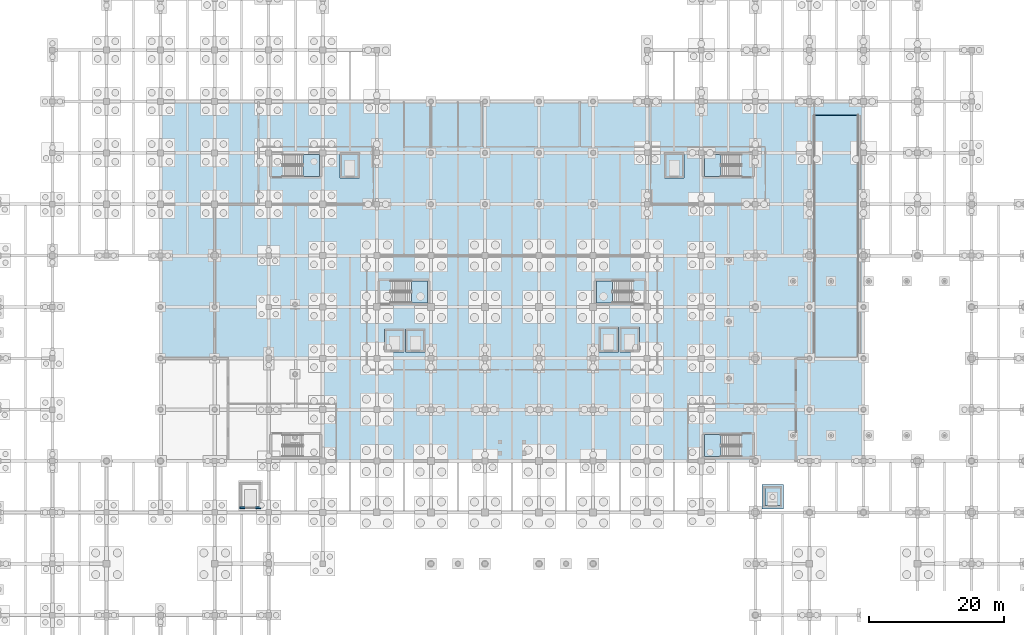
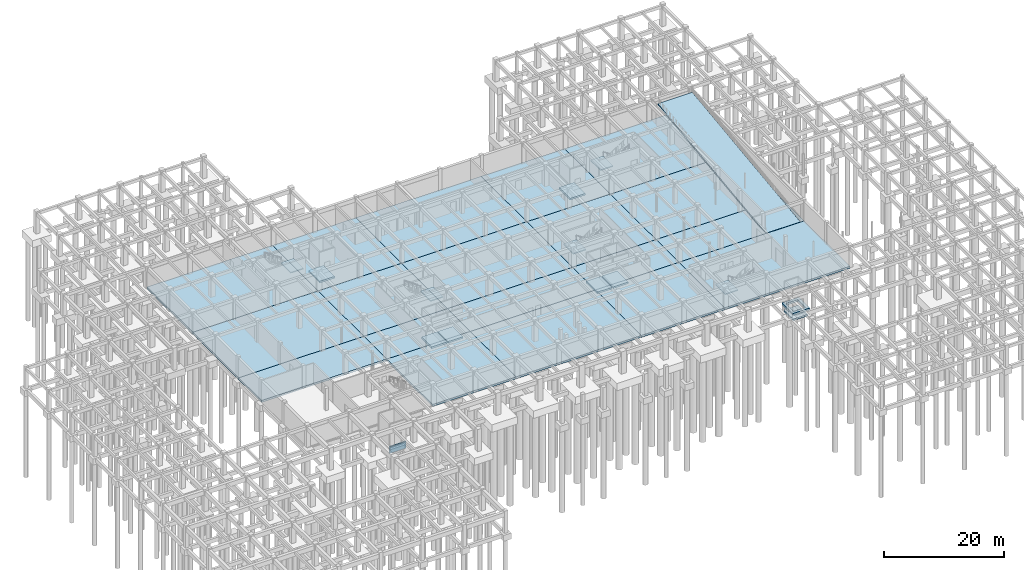
# One storey, part 33 of 49: 33 slabs, 1 wall, 5 elements without a shape of their own.
"""IFC4 building model written with IfcOpenShell, lengths in metres."""

from ifc_helpers import new_model, si_unit, direction, frame, frame_2d, origin, place, context, subcontext, project, spatial, polyline, rectangle, outline, extrude, material, layer, layer_set, type_object, element, aggregate, save


model = new_model("IFC4")

# Units and contexts
model_context = context("Model", 3, precision=1e-05, world=origin(), true_north=direction((0.0, 1.0)))
body_context = subcontext(model_context, "Body", "Model", "MODEL_VIEW")
ifc_project = project(units=[si_unit("LENGTHUNIT", "METRE"), si_unit("AREAUNIT", "SQUARE_METRE"), si_unit("VOLUMEUNIT", "CUBIC_METRE"), si_unit("PLANEANGLEUNIT", "RADIAN"), si_unit("MASSUNIT", "GRAM", prefix="KILO")], contexts=[model_context])

# Site, building, storey
site_placement = place(None, origin())
site = spatial("IfcSite", under=ifc_project, at=site_placement, CompositionType="ELEMENT")
building_placement = place(site_placement, origin())
building = spatial("IfcBuilding", under=site, at=building_placement, Name="Zantavel Square City Hall", CompositionType="ELEMENT")
storey_placement = place(building_placement, frame((0.0, 0.0, -4.5)))
storey = spatial("IfcBuildingStorey", under=building, at=storey_placement, Name="B1", CompositionType="ELEMENT", Elevation=-4.5)

# Slabs
ifc_material_1 = material(Name="Concrete C35/45", Category="concrete")
ifc_layer_1 = layer(ifc_material_1, 0.39990234375, Name="Concrete C35/45")
ifc_layer_set_1 = layer_set([ifc_layer_1], Name="Concrete C35/45")
slab_type_1 = type_object("IfcSlabType", Name="Basement Mat and Pit Base Slab C35/45", PredefinedType="BASESLAB", material=ifc_layer_set_1)
slab_1_placement = place(storey_placement, frame((0.0, 0.0, -0.39990234375)))
element("IfcSlab", 1, at=slab_1_placement, inside=storey, type_object=slab_type_1, Name="B1 Floor Slab SLB-B1-BOX-02", PredefinedType="BASESLAB", context=body_context, shape_type="SweptSolid", body=[
    extrude(outline(polyline([(72.0, 53.199951171875), (72.0, 38.0), (56.0, 38.0), (56.0, 53.199951171875), (72.0, 53.199951171875)])), origin(), (0.0, 0.0, 1.0), 0.39990234375),
])
slab_2_placement = place(storey_placement, frame((0.0, 0.0, -0.39990234375)))
element("IfcSlab", 2, at=slab_2_placement, inside=storey, type_object=slab_type_1, Name="B1 Floor Slab SLB-B1-BOX-03", PredefinedType="BASESLAB", context=body_context, shape_type="SweptSolid", body=[
    extrude(outline(polyline([(96.0, 53.199951171875), (96.0, 38.0), (72.0, 38.0), (72.0, 53.199951171875), (96.0, 53.199951171875)])), origin(), (0.0, 0.0, 1.0), 0.39990234375),
])
slab_3_placement = place(storey_placement, frame((0.0, 0.0, -0.39990234375)))
element("IfcSlab", 3, at=slab_3_placement, inside=storey, type_object=slab_type_1, Name="B1 Floor Slab SLB-B1-BOX-04", PredefinedType="BASESLAB", context=body_context, shape_type="SweptSolid", body=[
    extrude(outline(polyline([(112.0, 53.199951171875), (112.0, 38.0), (96.0, 38.0), (96.0, 53.199951171875), (112.0, 53.199951171875)])), origin(), (0.0, 0.0, 1.0), 0.39990234375),
])
slab_4_placement = place(storey_placement, frame((0.0, 0.0, -0.39990234375)))
element("IfcSlab", 4, at=slab_4_placement, inside=storey, type_object=slab_type_1, Name="B1 Floor Slab SLB-B1-BOX-05", PredefinedType="BASESLAB", context=body_context, shape_type="SweptSolid", body=[
    extrude(outline(polyline([(136.0, 53.199951171875), (136.0, 38.0), (112.0, 38.0), (112.0, 53.199951171875), (136.0, 53.199951171875)])), origin(), (0.0, 0.0, 1.0), 0.39990234375),
])
slab_5_placement = place(storey_placement, frame((0.0, 0.0, -0.39990234375)))
element("IfcSlab", 5, at=slab_5_placement, inside=storey, type_object=slab_type_1, Name="B1 Floor Slab SLB-B1-BOX-06", PredefinedType="BASESLAB", context=body_context, shape_type="SweptSolid", body=[
    extrude(outline(polyline([(32.0, 60.800048828125), (56.0, 60.800048828125), (56.0, 53.199951171875), (32.0, 53.199951171875), (32.0, 60.800048828125)])), origin(), (0.0, 0.0, 1.0), 0.39990234375),
])
slab_6_placement = place(storey_placement, frame((0.0, 0.0, -0.39990234375)))
element("IfcSlab", 6, at=slab_6_placement, inside=storey, type_object=slab_type_1, Name="B1 Floor Slab SLB-B1-BOX-07", PredefinedType="BASESLAB", context=body_context, shape_type="SweptSolid", body=[
    extrude(outline(polyline([(72.0, 60.800048828125), (72.0, 53.199951171875), (56.0, 53.199951171875), (56.0, 60.800048828125), (72.0, 60.800048828125)])), origin(), (0.0, 0.0, 1.0), 0.39990234375),
])
slab_7_placement = place(storey_placement, frame((0.0, 0.0, -0.39990234375)))
element("IfcSlab", 7, at=slab_7_placement, inside=storey, type_object=slab_type_1, Name="B1 Floor Slab SLB-B1-BOX-08", PredefinedType="BASESLAB", context=body_context, shape_type="SweptSolid", body=[
    extrude(outline(polyline([(96.0, 60.800048828125), (96.0, 53.199951171875), (72.0, 53.199951171875), (72.0, 60.800048828125), (96.0, 60.800048828125)])), origin(), (0.0, 0.0, 1.0), 0.39990234375),
])
slab_8_placement = place(storey_placement, frame((0.0, 0.0, -0.39990234375)))
element("IfcSlab", 8, at=slab_8_placement, inside=storey, type_object=slab_type_1, Name="B1 Floor Slab SLB-B1-BOX-09", PredefinedType="BASESLAB", context=body_context, shape_type="SweptSolid", body=[
    extrude(outline(polyline([(112.0, 60.800048828125), (112.0, 53.199951171875), (96.0, 53.199951171875), (96.0, 60.800048828125), (112.0, 60.800048828125)])), origin(), (0.0, 0.0, 1.0), 0.39990234375),
])
slab_9_placement = place(storey_placement, frame((0.0, 0.0, -0.39990234375)))
element("IfcSlab", 9, at=slab_9_placement, inside=storey, type_object=slab_type_1, Name="B1 Floor Slab SLB-B1-BOX-10", PredefinedType="BASESLAB", context=body_context, shape_type="SweptSolid", body=[
    extrude(outline(polyline([(136.0, 60.800048828125), (136.0, 53.199951171875), (112.0, 53.199951171875), (112.0, 60.800048828125), (136.0, 60.800048828125)])), origin(), (0.0, 0.0, 1.0), 0.39990234375),
])
slab_10_placement = place(storey_placement, frame((0.0, 0.0, -0.39990234375)))
element("IfcSlab", 10, at=slab_10_placement, inside=storey, type_object=slab_type_1, Name="B1 Floor Slab SLB-B1-BOX-11", PredefinedType="BASESLAB", context=body_context, shape_type="SweptSolid", body=[
    extrude(outline(polyline([(32.0, 76.0), (56.0, 76.0), (56.0, 60.800048828125), (32.0, 60.800048828125), (32.0, 76.0)])), origin(), (0.0, 0.0, 1.0), 0.39990234375),
])
slab_11_placement = place(storey_placement, frame((0.0, 0.0, -0.39990234375)))
element("IfcSlab", 11, at=slab_11_placement, inside=storey, type_object=slab_type_1, Name="B1 Floor Slab SLB-B1-BOX-12", PredefinedType="BASESLAB", context=body_context, shape_type="SweptSolid", body=[
    extrude(outline(polyline([(72.0, 76.0), (72.0, 60.800048828125), (56.0, 60.800048828125), (56.0, 76.0), (72.0, 76.0)])), origin(), (0.0, 0.0, 1.0), 0.39990234375),
])
slab_12_placement = place(storey_placement, frame((0.0, 0.0, -0.39990234375)))
element("IfcSlab", 12, at=slab_12_placement, inside=storey, type_object=slab_type_1, Name="B1 Floor Slab SLB-B1-BOX-13", PredefinedType="BASESLAB", context=body_context, shape_type="SweptSolid", body=[
    extrude(outline(polyline([(96.0, 76.0), (96.0, 60.800048828125), (72.0, 60.800048828125), (72.0, 76.0), (96.0, 76.0)])), origin(), (0.0, 0.0, 1.0), 0.39990234375),
])
slab_13_placement = place(storey_placement, frame((0.0, 0.0, -0.39990234375)))
element("IfcSlab", 13, at=slab_13_placement, inside=storey, type_object=slab_type_1, Name="B1 Floor Slab SLB-B1-BOX-14", PredefinedType="BASESLAB", context=body_context, shape_type="SweptSolid", body=[
    extrude(outline(polyline([(112.0, 76.0), (112.0, 60.800048828125), (96.0, 60.800048828125), (96.0, 76.0), (112.0, 76.0)])), origin(), (0.0, 0.0, 1.0), 0.39990234375),
])
slab_14_placement = place(storey_placement, frame((0.0, 0.0, -0.39990234375)))
element("IfcSlab", 14, at=slab_14_placement, inside=storey, type_object=slab_type_1, Name="B1 Floor Slab SLB-B1-BOX-15", PredefinedType="BASESLAB", context=body_context, shape_type="SweptSolid", body=[
    extrude(outline(polyline([(136.0, 76.0), (136.0, 60.800048828125), (112.0, 60.800048828125), (112.0, 76.0), (136.0, 76.0)])), origin(), (0.0, 0.0, 1.0), 0.39990234375),
])
slab_15_placement = place(storey_placement, frame((0.0, 0.0, -0.39990234375)))
element("IfcSlab", 15, at=slab_15_placement, inside=storey, type_object=slab_type_1, Name="B1 Floor Slab SLB-B1-BOX-18", PredefinedType="BASESLAB", context=body_context, shape_type="SweptSolid", body=[
    extrude(outline(polyline([(96.0, 91.199951171875), (96.0, 76.0), (72.0, 76.0), (72.0, 91.199951171875), (96.0, 91.199951171875)])), origin(), (0.0, 0.0, 1.0), 0.39990234375),
])
slab_16_placement = place(storey_placement, frame((0.0, 0.0, -0.39990234375)))
element("IfcSlab", 16, at=slab_16_placement, inside=storey, type_object=slab_type_1, Name="B1 Floor Slab SLB-B1-BOX-19", PredefinedType="BASESLAB", context=body_context, shape_type="SweptSolid", body=[
    extrude(outline(polyline([(112.0, 91.199951171875), (112.0, 76.0), (96.0, 76.0), (96.0, 91.199951171875), (112.0, 91.199951171875)])), origin(), (0.0, 0.0, 1.0), 0.39990234375),
])
slab_17_placement = place(storey_placement, frame((0.0, 0.0, -0.39990234375)))
element("IfcSlab", 17, at=slab_17_placement, inside=storey, type_object=slab_type_1, Name="B1 Floor Slab SLB-B1-BOX-20", PredefinedType="BASESLAB", context=body_context, shape_type="SweptSolid", body=[
    extrude(outline(polyline([(136.0, 91.199951171875), (136.0, 76.0), (112.0, 76.0), (112.0, 91.199951171875), (136.0, 91.199951171875)])), origin(), (0.0, 0.0, 1.0), 0.39990234375),
])
slab_18_placement = place(storey_placement, frame((0.0, 0.0, -0.39990234375)))
element("IfcSlab", 18, at=slab_18_placement, inside=storey, type_object=slab_type_1, Name="B1 Lift LF07 Foundation Base Collar Slab", PredefinedType="BASESLAB", context=body_context, shape_type="SweptSolid", body=[
    extrude(outline(polyline([(120.97998046875, 34.5), (124.199951171875, 34.5), (124.199951171875, 30.89990234375), (120.97998046875, 30.89990234375), (120.97998046875, 34.5)]), holes=[polyline([(123.699951171875, 34.0), (121.39990234375, 34.0), (121.39990234375, 31.39990234375), (123.699951171875, 31.39990234375), (123.699951171875, 34.0)])]), origin(), (0.0, 0.0, 1.0), 0.39990234375),
])
slab_19_placement = place(storey_placement, frame((0.0, 0.0, -1.699951171875)))
element("IfcSlab", 19, at=slab_19_placement, inside=storey, type_object=slab_type_1, Name="Lift LF01 Pit Base Slab", PredefinedType="BASESLAB", context=body_context, shape_type="SweptSolid", body=[
    extrude(outline(polyline([(65.14990234375, 54.14990234375), (68.050048828125, 54.14990234375), (68.050048828125, 57.550048828125), (65.14990234375, 57.550048828125), (65.14990234375, 54.14990234375)])), origin(), (0.0, 0.0, 1.0), 0.349853515625),
])
slab_20_placement = place(storey_placement, frame((0.0, 0.0, -1.699951171875)))
element("IfcSlab", 20, at=slab_20_placement, inside=storey, type_object=slab_type_1, Name="Lift LF02 Pit Base Slab", PredefinedType="BASESLAB", context=body_context, shape_type="SweptSolid", body=[
    extrude(outline(polyline([(68.25, 54.14990234375), (71.14990234375, 54.14990234375), (71.14990234375, 57.550048828125), (68.25, 57.550048828125), (68.25, 54.14990234375)])), origin(), (0.0, 0.0, 1.0), 0.349853515625),
])
slab_21_placement = place(storey_placement, frame((0.0, 0.0, -1.699951171875)))
element("IfcSlab", 21, at=slab_21_placement, inside=storey, type_object=slab_type_1, Name="Lift LF03 Pit Base Slab", PredefinedType="BASESLAB", context=body_context, shape_type="SweptSolid", body=[
    extrude(outline(polyline([(96.85009765625, 54.14990234375), (99.75, 54.14990234375), (99.75, 57.85009765625), (96.85009765625, 57.85009765625), (96.85009765625, 54.14990234375)])), origin(), (0.0, 0.0, 1.0), 0.349853515625),
])
slab_22_placement = place(storey_placement, frame((0.0, 0.0, -1.699951171875)))
element("IfcSlab", 22, at=slab_22_placement, inside=storey, type_object=slab_type_1, Name="Lift LF04 Pit Base Slab", PredefinedType="BASESLAB", context=body_context, shape_type="SweptSolid", body=[
    extrude(outline(polyline([(99.949951171875, 54.14990234375), (102.85009765625, 54.14990234375), (102.85009765625, 57.85009765625), (99.949951171875, 57.85009765625), (99.949951171875, 54.14990234375)])), origin(), (0.0, 0.0, 1.0), 0.349853515625),
])
slab_23_placement = place(storey_placement, frame((0.0, 0.0, -1.699951171875)))
element("IfcSlab", 23, at=slab_23_placement, inside=storey, type_object=slab_type_1, Name="Lift LF05 Pit Base Slab", PredefinedType="BASESLAB", context=body_context, shape_type="SweptSolid", body=[
    extrude(outline(polyline([(58.550048828125, 79.89990234375), (61.449951171875, 79.89990234375), (61.449951171875, 83.60009765625), (58.550048828125, 83.60009765625), (58.550048828125, 79.89990234375)])), origin(), (0.0, 0.0, 1.0), 0.349853515625),
])
slab_24_placement = place(storey_placement, frame((0.0, 0.0, -1.699951171875)))
element("IfcSlab", 24, at=slab_24_placement, inside=storey, type_object=slab_type_1, Name="Lift LF06 Pit Base Slab", PredefinedType="BASESLAB", context=body_context, shape_type="SweptSolid", body=[
    extrude(outline(polyline([(106.550048828125, 79.89990234375), (109.449951171875, 79.89990234375), (109.449951171875, 83.60009765625), (106.550048828125, 83.60009765625), (106.550048828125, 79.89990234375)])), origin(), (0.0, 0.0, 1.0), 0.349853515625),
])
slab_25_placement = place(storey_placement, frame((0.0, 0.0, -1.699951171875)))
element("IfcSlab", 25, at=slab_25_placement, inside=storey, type_object=slab_type_1, Name="Lift LF07 Pit Base Slab", PredefinedType="BASESLAB", context=body_context, shape_type="SweptSolid", body=[
    extrude(outline(polyline([(121.14990234375, 31.14990234375), (123.949951171875, 31.14990234375), (123.949951171875, 34.25), (121.14990234375, 34.25), (121.14990234375, 31.14990234375)])), origin(), (0.0, 0.0, 1.0), 0.349853515625),
])
ifc_material_2 = material(Name="Concrete C40/50", Category="concrete")
ifc_layer_2 = layer(ifc_material_2, 0.449951171875, Name="Concrete C40/50")
ifc_layer_set_2 = layer_set([ifc_layer_2], Name="Concrete C40/50")
slab_type_2 = type_object("IfcSlabType", Name="Cistern Heavy Base Slab 450mm C40/50", PredefinedType="BASESLAB", material=ifc_layer_set_2)
slab_26_placement = place(storey_placement, frame((0.0, 0.0, -0.449951171875)))
element("IfcSlab", 26, at=slab_26_placement, inside=storey, type_object=slab_type_2, Name="B1 Floor Slab SLB-B1-BOX-16", PredefinedType="BASESLAB", context=body_context, shape_type="SweptSolid", body=[
    extrude(outline(polyline([(32.0, 91.199951171875), (56.0, 91.199951171875), (56.0, 76.0), (32.0, 76.0), (32.0, 91.199951171875)])), origin(), (0.0, 0.0, 1.0), 0.449951171875),
])
slab_27_placement = place(storey_placement, frame((0.0, 0.0, -0.449951171875)))
element("IfcSlab", 27, at=slab_27_placement, inside=storey, type_object=slab_type_2, Name="B1 Floor Slab SLB-B1-BOX-17", PredefinedType="BASESLAB", context=body_context, shape_type="SweptSolid", body=[
    extrude(outline(polyline([(72.0, 91.199951171875), (72.0, 76.0), (56.0, 76.0), (56.0, 91.199951171875), (72.0, 91.199951171875)])), origin(), (0.0, 0.0, 1.0), 0.449951171875),
])

# Stair, slab
stair_type = type_object("IfcStairType", Name="Enclosed Core Dogleg Stair B1 H4500", PredefinedType="HALF_TURN_STAIR", material=ifc_material_1)
stair_1_placement = place(storey_placement, origin())
stair_1 = element("IfcStair", 28, at=stair_1_placement, inside=storey, type_object=stair_type, Name="B1 Exit Stair 1 North-West Core", PredefinedType="HALF_TURN_STAIR")
ifc_layer_3 = layer(ifc_material_1, 0.2099609375, Name="Concrete C35/45")
ifc_layer_set_3 = layer_set([ifc_layer_3], Name="Concrete C35/45")
slab_type_3 = type_object("IfcSlabType", Name="Core Stair Half-Landing Slab C35/45", PredefinedType="LANDING", material=ifc_layer_set_3)
slab_28_placement = place(storey_placement, frame((0.0, 0.0, 2.050048828125)))
slab_28 = element("IfcSlab", 29, at=slab_28_placement, type_object=slab_type_3, Name="ST1 landing 1", PredefinedType="LANDING", context=body_context, shape_type="SweptSolid", body=[
    extrude(outline(polyline([(53.110107421875, 80.10009765625), (55.530029296875, 80.10009765625), (55.530029296875, 83.3701171875), (53.110107421875, 83.3701171875), (53.110107421875, 80.10009765625)])), origin(), (0.0, 0.0, 1.0), 0.199951171875),
])
aggregate(stair_1, [slab_28])

stair_2_placement = place(storey_placement, origin())
stair_2 = element("IfcStair", 30, at=stair_2_placement, inside=storey, type_object=stair_type, Name="B1 Exit Stair 2 North-East Core", PredefinedType="HALF_TURN_STAIR")
slab_29_placement = place(storey_placement, frame((0.0, 0.0, 2.050048828125)))
slab_29 = element("IfcSlab", 31, at=slab_29_placement, type_object=slab_type_3, Name="ST2 landing 1", PredefinedType="LANDING", context=body_context, shape_type="SweptSolid", body=[
    extrude(outline(polyline([(114.889892578125, 83.3701171875), (112.469970703125, 83.3701171875), (112.469970703125, 80.10009765625), (114.889892578125, 80.10009765625), (114.889892578125, 83.3701171875)])), origin(), (0.0, 0.0, 1.0), 0.199951171875),
])
aggregate(stair_2, [slab_29])

stair_3_placement = place(storey_placement, origin())
stair_3 = element("IfcStair", 32, at=stair_3_placement, inside=storey, type_object=stair_type, Name="B1 Exit Stair 4 East Annex Core", PredefinedType="HALF_TURN_STAIR")
slab_30_placement = place(storey_placement, frame((0.0, 0.0, 2.050048828125)))
slab_30 = element("IfcSlab", 33, at=slab_30_placement, type_object=slab_type_3, Name="ST4 landing 1", PredefinedType="LANDING", context=body_context, shape_type="SweptSolid", body=[
    extrude(outline(polyline([(114.889892578125, 41.919921875), (112.469970703125, 41.919921875), (112.469970703125, 38.64990234375), (114.889892578125, 38.64990234375), (114.889892578125, 41.919921875)])), origin(), (0.0, 0.0, 1.0), 0.199951171875),
])
aggregate(stair_3, [slab_30])

stair_4_placement = place(storey_placement, origin())
stair_4 = element("IfcStair", 34, at=stair_4_placement, inside=storey, type_object=stair_type, Name="B1 Exit Stair 5 Central West Core", PredefinedType="HALF_TURN_STAIR")
slab_31_placement = place(storey_placement, frame((0.0, 0.0, 2.050048828125)))
slab_31 = element("IfcSlab", 35, at=slab_31_placement, type_object=slab_type_3, Name="ST5 landing 1", PredefinedType="LANDING", context=body_context, shape_type="SweptSolid", body=[
    extrude(outline(polyline([(69.110107421875, 61.39990234375), (71.530029296875, 61.39990234375), (71.530029296875, 64.669921875), (69.110107421875, 64.669921875), (69.110107421875, 61.39990234375)])), origin(), (0.0, 0.0, 1.0), 0.199951171875),
])
aggregate(stair_4, [slab_31])

stair_5_placement = place(storey_placement, origin())
stair_5 = element("IfcStair", 36, at=stair_5_placement, inside=storey, type_object=stair_type, Name="B1 Exit Stair 6 Central East Core", PredefinedType="HALF_TURN_STAIR")
slab_32_placement = place(storey_placement, frame((0.0, 0.0, 2.050048828125)))
slab_32 = element("IfcSlab", 37, at=slab_32_placement, type_object=slab_type_3, Name="ST6 landing 1", PredefinedType="LANDING", context=body_context, shape_type="SweptSolid", body=[
    extrude(outline(polyline([(98.889892578125, 64.669921875), (96.469970703125, 64.669921875), (96.469970703125, 61.39990234375), (98.889892578125, 61.39990234375), (98.889892578125, 64.669921875)])), origin(), (0.0, 0.0, 1.0), 0.199951171875),
])
aggregate(stair_5, [slab_32])

# Slab
ifc_layer_4 = layer(ifc_material_1, 0.280029296875, Name="Concrete C35/45")
ifc_layer_set_4 = layer_set([ifc_layer_4], Name="Concrete C35/45")
slab_type_4 = type_object("IfcSlabType", Name="Reinforced Concrete Vehicle Ramp Base Slab 280mm C35/45", PredefinedType="BASESLAB", material=ifc_layer_set_4)
slab_33_placement = place(storey_placement, frame((128.699951171875, 53.239990234375, 0.0048828125), z_axis=(0.0, -0.124041375139, 0.992277046622), x_axis=(1.0, 0.0, 0.0)))
element("IfcSlab", 38, at=slab_33_placement, inside=storey, type_object=slab_type_4, Name="Reinforced Concrete Vehicle Ramp Base Slab RMP-01", PredefinedType="BASESLAB", context=body_context, shape_type="SweptSolid", body=[
    extrude(outline(polyline([(0.0, 0.0), (6.60009765625, 0.0), (6.60009765625, 36.19948883960291), (0.0, 36.19948883960291), (0.0, 0.0)])), origin(), (0.0, 0.0, -1.0), 0.280029296875),
])

# Wall
ifc_layer_5 = layer(ifc_material_2, 0.25, Name="Concrete C40/50")
ifc_layer_set_5 = layer_set([ifc_layer_5], Name="Concrete C40/50")
wall_type = type_object("IfcWallType", Name="Lift Shaft Wall RC 250mm C40/50", PredefinedType="SHEAR", material=ifc_layer_set_5)
wall_placement = place(storey_placement, frame((46.85009765625, 31.074951171875, -1.35009765625), z_axis=(0.0, 0.0, 1.0), x_axis=(-1.0, 0.0, 0.0)))
element("IfcWall", 39, at=wall_placement, inside=storey, type_object=wall_type, Name="Lift LF08 Pit Wall S", PredefinedType="SHEAR", context=body_context, shape_type="SweptSolid", body=[
    extrude(rectangle(XDim=3.10009765625, YDim=0.25, at=frame_2d((1.550048828125, 0.0))), origin(), (0.0, 0.0, 1.0), 1.35009765625),
])

save(model, "model.ifc")
